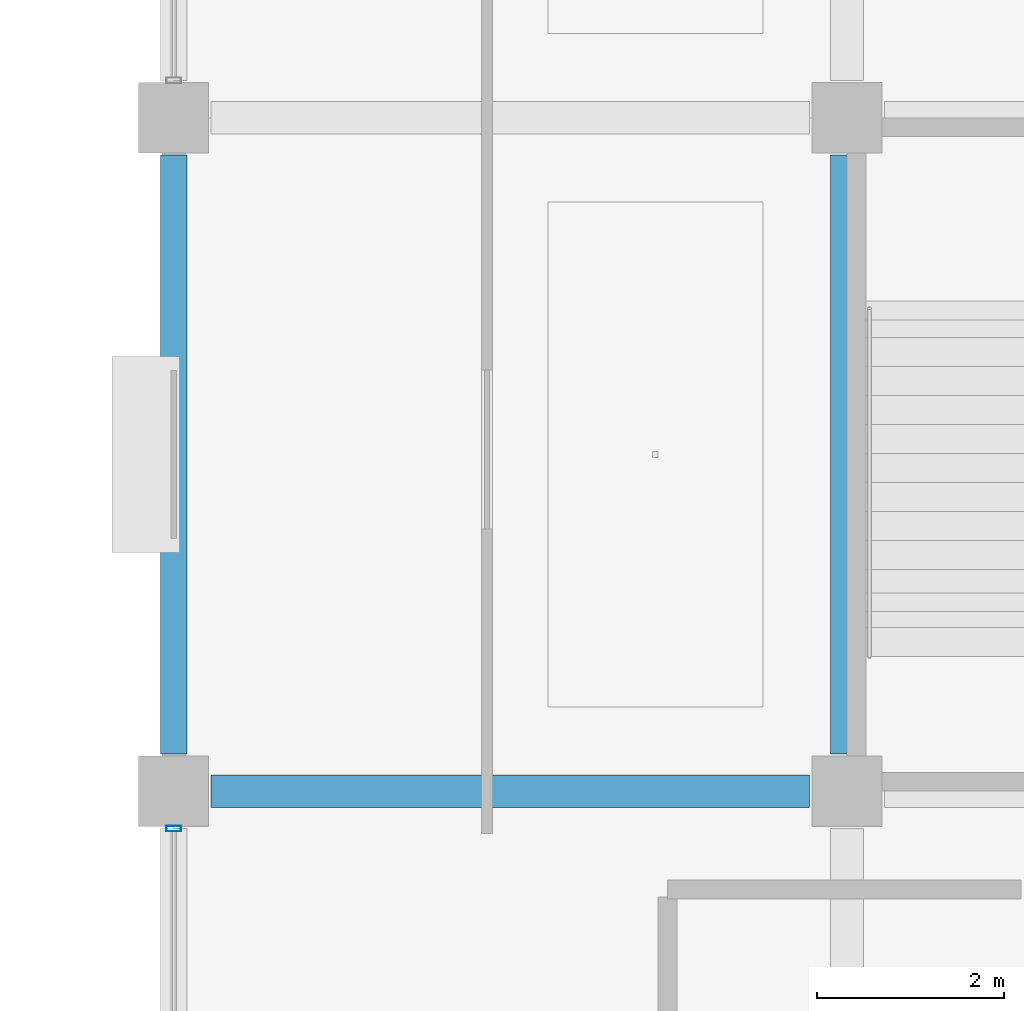
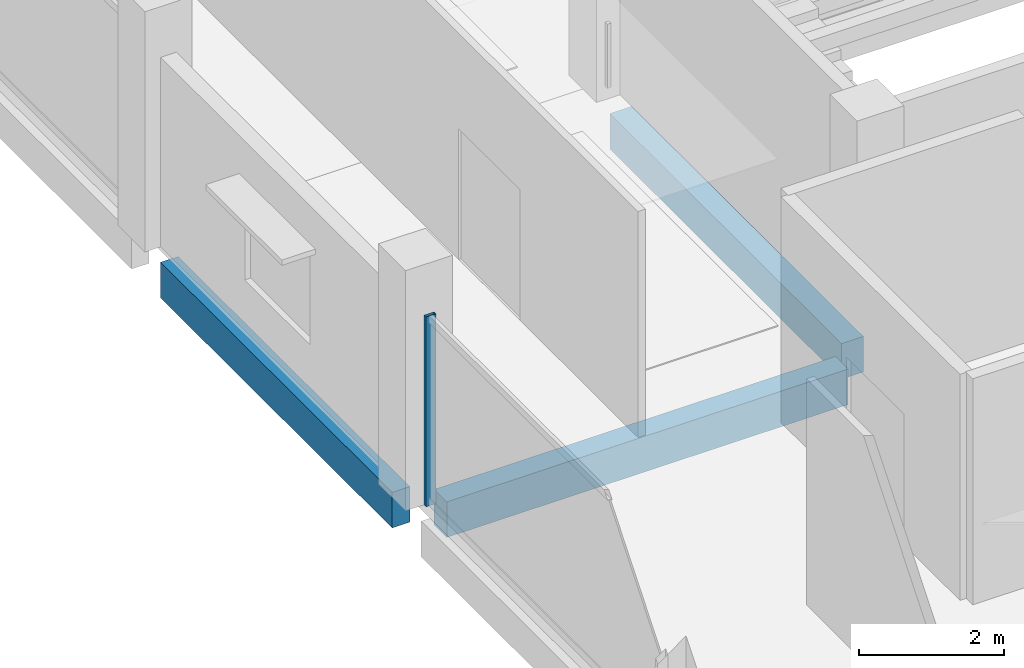
# One storey, part 47 of 108: 3 beams, 1 member, 1 element without a shape of its own.
"""IFC4 building model written with IfcOpenShell, lengths in metres."""

from ifc_helpers import new_model, si_unit, direction, frame, origin, origin_2d, place, context, subcontext, project, spatial, rectangle, hollow_rectangle, extrude, material, layer, layer_set, material_profile, profile_set, type_object, element, aggregate, save


model = new_model("IFC4")

# Units and contexts
model_context = context("Model", 3, precision=1e-05, world=origin(), true_north=direction((0.0, 1.0)))
body_context = subcontext(model_context, "Body", "Model", "MODEL_VIEW")
ifc_project = project(units=[si_unit("LENGTHUNIT", "METRE"), si_unit("AREAUNIT", "SQUARE_METRE"), si_unit("VOLUMEUNIT", "CUBIC_METRE"), si_unit("PLANEANGLEUNIT", "RADIAN"), si_unit("MASSUNIT", "GRAM", prefix="KILO")], contexts=[model_context])

# Site, building, storey
site_placement = place(None, origin())
site = spatial("IfcSite", under=ifc_project, at=site_placement, CompositionType="ELEMENT")
building_placement = place(site_placement, origin())
building = spatial("IfcBuilding", under=site, at=building_placement, Name="Kangsadwip Square Police Headquarters", CompositionType="ELEMENT")
storey_placement = place(building_placement, frame((0.0, 0.0, 9.449951171875)))
storey = spatial("IfcBuildingStorey", under=building, at=storey_placement, Name="L02", CompositionType="ELEMENT", Elevation=9.449951171875)

# Curtain wall, member
ifc_material_1 = material(Name="Thermally broken anodised aluminium AW-6063-T6", Category="aluminium")
ifc_layer = layer(ifc_material_1, 0.159912109375)
ifc_layer_set = layer_set([ifc_layer], Name="Thermally broken anodised aluminium AW-6063-T6")
curtain_wall_type = type_object("IfcCurtainWallType", Name="CourtScreen6460x3200", PredefinedType="USERDEFINED", material=ifc_layer_set)
curtain_wall_placement = place(storey_placement, origin())
curtain_wall = element("IfcCurtainWall", 1, at=curtain_wall_placement, inside=storey, type_object=curtain_wall_type, Name="Curtain Wall CW-L02-1440-0508", ObjectType="GLAZED_SCREEN", PredefinedType="USERDEFINED")
ifc_material_2 = material(Name="Thermally broken anodised aluminium AW-6063-T6", Category="aluminium")
ifc_material_profile_1 = material_profile(ifc_material_2, hollow_rectangle(XDim=0.06005859375, YDim=0.159912109375, WallThickness=0.00390625, at=origin_2d()), Name="CWM 160X60X4")
ifc_profile_set_1 = profile_set([ifc_material_profile_1], Name="Thermally broken anodised aluminium AW-6063-T6")
member_type = type_object("IfcMemberType", Name="CwMullion135x60", PredefinedType="MULLION", material=ifc_profile_set_1)
member_placement = place(storey_placement, frame((144.0, 57.199951171875, 0.0), z_axis=(0.0, 0.0, 1.0), x_axis=(0.0, 1.0, 0.0)))
member = element("IfcMember", 2, at=member_placement, type_object=member_type, Name="CW-16 mullion 2", PredefinedType="MULLION", context=body_context, shape_type="SweptSolid", body=[
    extrude(hollow_rectangle(XDim=0.06005859375, YDim=0.159912109375, WallThickness=0.00390625, at=origin_2d()), origin(), (0.0, 0.0, 1.0), 3.199951171875),
])
aggregate(curtain_wall, [member])

# Beams
ifc_material_3 = material(Name="Concrete M35 (35 MPa)", Category="concrete")
ifc_material_profile_2 = material_profile(ifc_material_3, rectangle(XDim=0.35009765625, YDim=0.60009765625, at=origin_2d()), Name="RC BM 600X350")
ifc_profile_set_2 = profile_set([ifc_material_profile_2], Name="Concrete M35 (35 MPa)")
beam_type_1 = type_object("IfcBeamType", Name="RcBeam600x350", PredefinedType="BEAM", material=ifc_profile_set_2)
beam_1_placement = place(storey_placement, frame((144.39990234375, 57.60009765625, -0.5400390625), z_axis=(1.0, 0.0, 0.0), x_axis=(0.0, 1.0, 0.0)))
element("IfcBeam", 3, at=beam_1_placement, inside=storey, type_object=beam_type_1, Name="Beam BM-L02-X-20-08", PredefinedType="BEAM", context=body_context, shape_type="SweptSolid", body=[
    extrude(rectangle(XDim=0.35009765625, YDim=0.60009765625, at=origin_2d()), origin(), (0.0, 0.0, 1.0), 6.400146484375),
])
beam_2_placement = place(storey_placement, frame((151.199951171875, 58.0, -0.5400390625), z_axis=(0.0, 1.0, 0.0), x_axis=(-1.0, 0.0, 0.0)))
element("IfcBeam", 4, at=beam_2_placement, inside=storey, type_object=beam_type_1, Name="Beam BM-L02-Y-21-08", PredefinedType="BEAM", context=body_context, shape_type="SweptSolid", body=[
    extrude(rectangle(XDim=0.35009765625, YDim=0.60009765625, at=origin_2d()), origin(), (0.0, 0.0, 1.0), 6.39990234375),
])
ifc_material_4 = material(Name="Concrete M40 (40 MPa)", Category="concrete")
ifc_material_profile_3 = material_profile(ifc_material_4, rectangle(XDim=0.280029296875, YDim=0.60009765625, at=origin_2d()), Name="RC SPN 600X280")
ifc_profile_set_3 = profile_set([ifc_material_profile_3], Name="Concrete M40 (40 MPa)")
beam_type_2 = type_object("IfcBeamType", Name="RcSpandrel600x280", PredefinedType="SPANDREL", material=ifc_profile_set_3)
beam_3_placement = place(storey_placement, frame((144.0, 58.0, -0.5400390625), z_axis=(0.0, 1.0, 0.0), x_axis=(-1.0, 0.0, 0.0)))
element("IfcBeam", 5, at=beam_3_placement, inside=storey, type_object=beam_type_2, Name="Beam BM-L02-Y-20-08", PredefinedType="SPANDREL", context=body_context, shape_type="SweptSolid", body=[
    extrude(rectangle(XDim=0.280029296875, YDim=0.60009765625, at=origin_2d()), origin(), (0.0, 0.0, 1.0), 6.39990234375),
])

save(model, "model.ifc")
